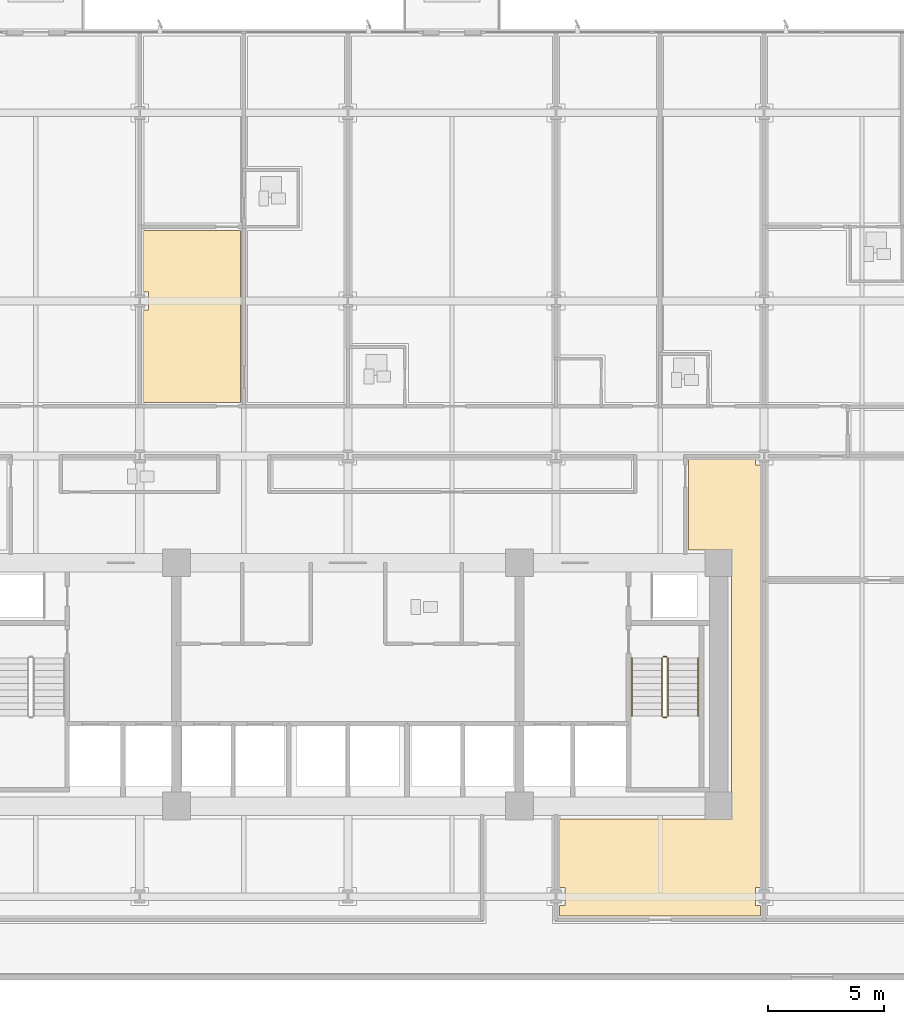
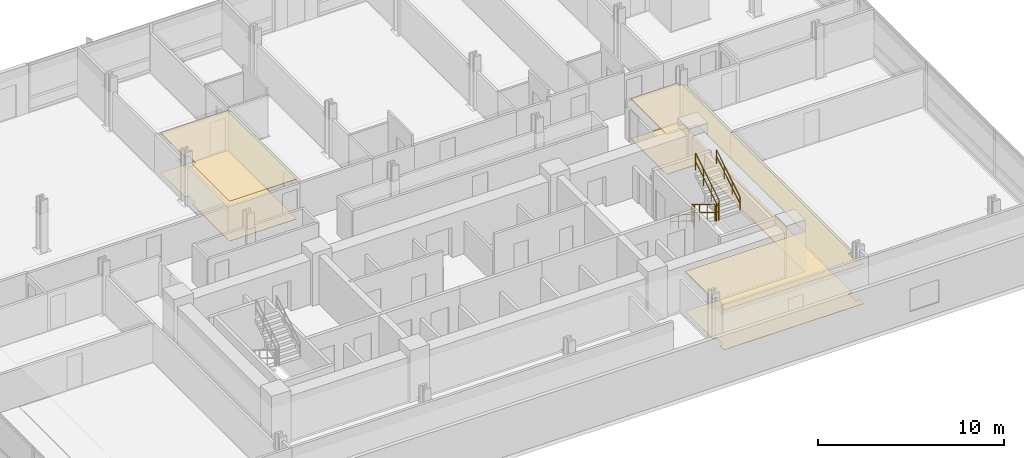
# One storey, part 14 of 18: 6 railings, 4 coverings.
"""IFC4 building model written with IfcOpenShell, lengths in metres."""

from ifc_helpers import new_model, si_unit, direction, frame, origin, origin_2d, place, context, subcontext, project, spatial, polyline, circle, outline, extrude, material, layer, layer_set, type_object, element, save


model = new_model("IFC4")

# Units and contexts
model_context = context("Model", 3, precision=1e-05, world=origin(), true_north=direction((0.0, 1.0)))
body_context = subcontext(model_context, "Body", "Model", "MODEL_VIEW")
ifc_project = project(units=[si_unit("LENGTHUNIT", "METRE"), si_unit("AREAUNIT", "SQUARE_METRE"), si_unit("VOLUMEUNIT", "CUBIC_METRE"), si_unit("PLANEANGLEUNIT", "RADIAN"), si_unit("MASSUNIT", "GRAM", prefix="KILO")], contexts=[model_context])

# Site, building, storey
site_placement = place(None, origin())
site = spatial("IfcSite", under=ifc_project, at=site_placement, CompositionType="ELEMENT")
building_placement = place(site_placement, origin())
building = spatial("IfcBuilding", under=site, at=building_placement, Name="Solmavex Isthmus Hotel", CompositionType="ELEMENT")
storey_placement = place(building_placement, frame((0.0, 0.0, 43.64990234375)))
storey = spatial("IfcBuildingStorey", under=building, at=storey_placement, Name="L11", CompositionType="ELEMENT", Elevation=43.64990234375)

# Coverings
ifc_material_1 = material(Name="Gypsum plasterboard lining", Category="gypsum")
ifc_layer_1 = layer(ifc_material_1, 0.030029296875)
ifc_layer_set_1 = layer_set([ifc_layer_1], Name="Gypsum plasterboard lining")
covering_type_1 = type_object("IfcCoveringType", Name="COV-CEIL-GYP", PredefinedType="CEILING", material=ifc_layer_set_1)
covering_1_placement = place(storey_placement, frame((0.0, 0.0, 2.6201171875)))
element("IfcCovering", 1, at=covering_1_placement, inside=storey, type_object=covering_type_1, Name="Suspended Acoustic Ceiling L11-SL02-FY", PredefinedType="CEILING", context=body_context, shape_type="SweptSolid", body=[
    extrude(outline(polyline([(-8.821044921875, 9.16796875), (-8.595947265625, 9.16796875), (-8.595947265625, 8.407958984375), (-8.821044921875, 8.407958984375), (-8.821044921875, 4.405029296875), (-4.64306640625, 4.405029296875), (-4.64306640625, 11.8330078125), (-8.821044921875, 11.8330078125), (-8.821044921875, 9.16796875)])), origin(), (0.0, 0.0, 1.0), 0.030029296875),
])
covering_2_placement = place(storey_placement, frame((0.0, 0.0, 2.6201171875)))
element("IfcCovering", 2, at=covering_2_placement, inside=storey, type_object=covering_type_1, Name="Suspended Acoustic Ceiling L11-FL13", PredefinedType="CEILING", context=body_context, shape_type="SweptSolid", body=[
    extrude(outline(polyline([(17.797119140625, 1.719970703125), (17.572021484375, 1.719970703125), (17.572021484375, 1.945068359375), (14.698974609375, 1.945068359375), (14.698974609375, -1.945068359375), (16.554931640625, -1.945068359375), (16.554931640625, -13.554931640625), (9.131103515625, -13.554931640625), (9.131103515625, -16.52001953125), (9.35595703125, -16.52001953125), (9.35595703125, -17.280029296875), (9.131103515625, -17.280029296875), (9.131103515625, -17.7451171875), (17.797119140625, -17.7451171875), (17.797119140625, -17.280029296875), (17.572021484375, -17.280029296875), (17.572021484375, -16.52001953125), (17.797119140625, -16.52001953125), (17.797119140625, 1.719970703125)])), origin(), (0.0, 0.0, 1.0), 0.030029296875),
])
ifc_material_2 = material(Name="Travertine natural stone", Category="masonry")
ifc_layer_2 = layer(ifc_material_2, 0.02490234375)
ifc_layer_set_2 = layer_set([ifc_layer_2], Name="Travertine natural stone")
covering_type_2 = type_object("IfcCoveringType", Name="COV-FLOR-STN", PredefinedType="FLOORING", material=ifc_layer_set_2)
covering_3_placement = place(storey_placement, origin())
element("IfcCovering", 3, at=covering_3_placement, inside=storey, type_object=covering_type_2, Name="Stone and Timber Floor Finish L11-SL02-FY", PredefinedType="FLOORING", context=body_context, shape_type="SweptSolid", body=[
    extrude(outline(polyline([(-8.821044921875, 9.16796875), (-8.595947265625, 9.16796875), (-8.595947265625, 8.407958984375), (-8.821044921875, 8.407958984375), (-8.821044921875, 4.405029296875), (-4.64306640625, 4.405029296875), (-4.64306640625, 11.8330078125), (-8.821044921875, 11.8330078125), (-8.821044921875, 9.16796875)])), origin(), (0.0, 0.0, 1.0), 0.025146484375),
])
covering_4_placement = place(storey_placement, origin())
element("IfcCovering", 4, at=covering_4_placement, inside=storey, type_object=covering_type_2, Name="Stone and Timber Floor Finish L11-FL13", PredefinedType="FLOORING", context=body_context, shape_type="SweptSolid", body=[
    extrude(outline(polyline([(17.797119140625, 1.719970703125), (17.572021484375, 1.719970703125), (17.572021484375, 1.945068359375), (14.698974609375, 1.945068359375), (14.698974609375, -1.945068359375), (16.554931640625, -1.945068359375), (16.554931640625, -13.554931640625), (9.131103515625, -13.554931640625), (9.131103515625, -16.52001953125), (9.35595703125, -16.52001953125), (9.35595703125, -17.280029296875), (9.131103515625, -17.280029296875), (9.131103515625, -17.7451171875), (17.797119140625, -17.7451171875), (17.797119140625, -17.280029296875), (17.572021484375, -17.280029296875), (17.572021484375, -16.52001953125), (17.797119140625, -16.52001953125), (17.797119140625, 1.719970703125)])), origin(), (0.0, 0.0, 1.0), 0.025146484375),
])

# Railings
ifc_material_3 = material(Name="Stainless steel 316", Category="steel")
ifc_layer_3 = layer(ifc_material_3, 0.06005859375)
ifc_layer_set_3 = layer_set([ifc_layer_3], Name="Stainless steel 316")
railing_type_1 = type_object("IfcRailingType", Name="RAIL-STAIR-GD", PredefinedType="GUARDRAIL", material=ifc_layer_set_3)
railing_1_placement = place(storey_placement, frame((13.550048828125, -6.60009765625, 0.172607421875)))
element("IfcRailing", 5, at=railing_1_placement, inside=storey, type_object=railing_type_1, Name="L11 ST-2 stair guard 1", PredefinedType="GUARDRAIL", context=body_context, shape_type="SweptSolid", body=[
    extrude(circle(Radius=0.02392578125, at=origin_2d()), frame((0.0, 0.0, 1.09619140625), z_axis=(0.0, -0.851400495292, 0.524516154772), x_axis=(1.0, 0.0, 0.0)), (0.0, 0.0, 1.0), 2.9599609375),
    extrude(circle(Radius=0.02392578125, at=origin_2d()), frame((0.0, 0.0, 0.56005859375), z_axis=(0.0, -0.851400495292, 0.524516154772), x_axis=(1.0, 0.0, 0.0)), (0.0, 0.0, 1.0), 2.9599609375),
    extrude(circle(Radius=0.02099609375, at=origin_2d()), origin(), (0.0, 0.0, 1.0), 1.072021484375),
    extrude(circle(Radius=0.02099609375, at=origin_2d()), frame((0.0, -0.840087890625, 0.517578125)), (0.0, 0.0, 1.0), 1.072021484375),
    extrude(circle(Radius=0.02099609375, at=origin_2d()), frame((0.0, -1.679931640625, 1.034912109375)), (0.0, 0.0, 1.0), 1.072021484375),
    extrude(circle(Radius=0.02099609375, at=origin_2d()), frame((0.0, -2.52001953125, 1.552490234375)), (0.0, 0.0, 1.0), 1.072021484375),
])
railing_2_placement = place(storey_placement, frame((13.60009765625, -9.169921875, 1.72509765625)))
element("IfcRailing", 6, at=railing_2_placement, inside=storey, type_object=railing_type_1, Name="L11 ST-2 stair guard 2", PredefinedType="GUARDRAIL", context=body_context, shape_type="SweptSolid", body=[
    extrude(circle(Radius=0.02392578125, at=origin_2d()), frame((0.0, 0.0, 1.09619140625), z_axis=(1.0, 0.0, 0.0), x_axis=(0.0, 1.0, 0.0)), (0.0, 0.0, 1.0), 0.14990234375),
    extrude(circle(Radius=0.02392578125, at=origin_2d()), frame((0.0, 0.0, 0.56005859375), z_axis=(1.0, 0.0, 0.0), x_axis=(0.0, 1.0, 0.0)), (0.0, 0.0, 1.0), 0.14990234375),
    extrude(circle(Radius=0.02099609375, at=origin_2d()), origin(), (0.0, 0.0, 1.0), 1.072021484375),
    extrude(circle(Radius=0.02099609375, at=origin_2d()), frame((0.14990234375, 0.0, 0.0)), (0.0, 0.0, 1.0), 1.072021484375),
])
railing_3_placement = place(storey_placement, frame((13.800048828125, -9.1201171875, 1.897705078125)))
element("IfcRailing", 7, at=railing_3_placement, inside=storey, type_object=railing_type_1, Name="L11 ST-2 stair guard 3", PredefinedType="GUARDRAIL", context=body_context, shape_type="SweptSolid", body=[
    extrude(circle(Radius=0.02392578125, at=origin_2d()), frame((0.0, 0.0, 1.09619140625), z_axis=(0.0, 0.851400495292, 0.524516154772), x_axis=(-1.0, 0.0, 0.0)), (0.0, 0.0, 1.0), 2.9599609375),
    extrude(circle(Radius=0.02392578125, at=origin_2d()), frame((0.0, 0.0, 0.56005859375), z_axis=(0.0, 0.851400495292, 0.524516154772), x_axis=(-1.0, 0.0, 0.0)), (0.0, 0.0, 1.0), 2.9599609375),
    extrude(circle(Radius=0.02099609375, at=origin_2d()), origin(), (0.0, 0.0, 1.0), 1.072021484375),
    extrude(circle(Radius=0.02099609375, at=origin_2d()), frame((0.0, 0.840087890625, 0.517578125)), (0.0, 0.0, 1.0), 1.072021484375),
    extrude(circle(Radius=0.02099609375, at=origin_2d()), frame((0.0, 1.679931640625, 1.034912109375)), (0.0, 0.0, 1.0), 1.072021484375),
    extrude(circle(Radius=0.02099609375, at=origin_2d()), frame((0.0, 2.52001953125, 1.552490234375)), (0.0, 0.0, 1.0), 1.072021484375),
])
railing_4_placement = place(storey_placement, frame((13.60009765625, -6.550048828125, 0.0)))
element("IfcRailing", 8, at=railing_4_placement, inside=storey, type_object=railing_type_1, Name="L11 ST-2 stair guard 4", PredefinedType="GUARDRAIL", context=body_context, shape_type="SweptSolid", body=[
    extrude(circle(Radius=0.02392578125, at=origin_2d()), frame((0.0, 0.0, 1.09619140625), z_axis=(1.0, 0.0, 0.0), x_axis=(0.0, 1.0, 0.0)), (0.0, 0.0, 1.0), 0.14990234375),
    extrude(circle(Radius=0.02392578125, at=origin_2d()), frame((0.0, 0.0, 0.56005859375), z_axis=(1.0, 0.0, 0.0), x_axis=(0.0, 1.0, 0.0)), (0.0, 0.0, 1.0), 0.14990234375),
    extrude(circle(Radius=0.02099609375, at=origin_2d()), origin(), (0.0, 0.0, 1.0), 1.072021484375),
    extrude(circle(Radius=0.02099609375, at=origin_2d()), frame((0.14990234375, 0.0, 0.0)), (0.0, 0.0, 1.0), 1.072021484375),
])
ifc_layer_4 = layer(ifc_material_3, 0.050048828125)
ifc_layer_set_4 = layer_set([ifc_layer_4], Name="Stainless steel 316")
railing_type_2 = type_object("IfcRailingType", Name="RAIL-STAIR-HR", PredefinedType="HANDRAIL", material=ifc_layer_set_4)
railing_5_placement = place(storey_placement, frame((12.25, -6.60009765625, 0.172607421875)))
element("IfcRailing", 9, at=railing_5_placement, inside=storey, type_object=railing_type_2, Name="L11 ST-2 stair handrail 1", PredefinedType="HANDRAIL", context=body_context, shape_type="SweptSolid", body=[
    extrude(circle(Radius=0.02392578125, at=origin_2d()), frame((0.0, 0.0, 0.8759765625), z_axis=(0.0, -0.851400495292, 0.524516154772), x_axis=(1.0, 0.0, 0.0)), (0.0, 0.0, 1.0), 2.9599609375),
    extrude(circle(Radius=0.02392578125, at=origin_2d()), frame((0.0, 0.0, 0.449951171875), z_axis=(0.0, -0.851400495292, 0.524516154772), x_axis=(1.0, 0.0, 0.0)), (0.0, 0.0, 1.0), 2.9599609375),
    extrude(circle(Radius=0.02099609375, at=origin_2d()), origin(), (0.0, 0.0, 1.0), 0.851806640625),
    extrude(circle(Radius=0.02099609375, at=origin_2d()), frame((0.0, -0.840087890625, 0.517578125)), (0.0, 0.0, 1.0), 0.851806640625),
    extrude(circle(Radius=0.02099609375, at=origin_2d()), frame((0.0, -1.679931640625, 1.034912109375)), (0.0, 0.0, 1.0), 0.851806640625),
    extrude(circle(Radius=0.02099609375, at=origin_2d()), frame((0.0, -2.52001953125, 1.552490234375)), (0.0, 0.0, 1.0), 0.851806640625),
])
railing_6_placement = place(storey_placement, frame((15.10009765625, -9.1201171875, 1.897705078125)))
element("IfcRailing", 10, at=railing_6_placement, inside=storey, type_object=railing_type_2, Name="L11 ST-2 stair handrail 2", PredefinedType="HANDRAIL", context=body_context, shape_type="SweptSolid", body=[
    extrude(circle(Radius=0.02392578125, at=origin_2d()), frame((0.0, 0.0, 0.8759765625), z_axis=(0.0, 0.851400495292, 0.524516154772), x_axis=(-1.0, 0.0, 0.0)), (0.0, 0.0, 1.0), 2.9599609375),
    extrude(circle(Radius=0.02392578125, at=origin_2d()), frame((0.0, 0.0, 0.449951171875), z_axis=(0.0, 0.851400495292, 0.524516154772), x_axis=(-1.0, 0.0, 0.0)), (0.0, 0.0, 1.0), 2.9599609375),
    extrude(circle(Radius=0.02099609375, at=origin_2d()), origin(), (0.0, 0.0, 1.0), 0.851806640625),
    extrude(circle(Radius=0.02099609375, at=origin_2d()), frame((0.0, 0.840087890625, 0.517578125)), (0.0, 0.0, 1.0), 0.851806640625),
    extrude(circle(Radius=0.02099609375, at=origin_2d()), frame((0.0, 1.679931640625, 1.034912109375)), (0.0, 0.0, 1.0), 0.851806640625),
    extrude(circle(Radius=0.02099609375, at=origin_2d()), frame((0.0, 2.52001953125, 1.552490234375)), (0.0, 0.0, 1.0), 0.851806640625),
])

save(model, "model.ifc")
